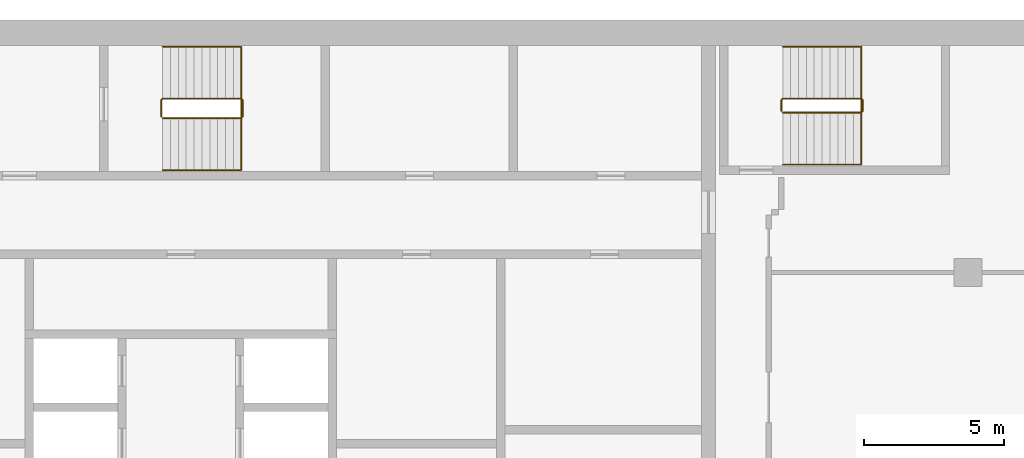
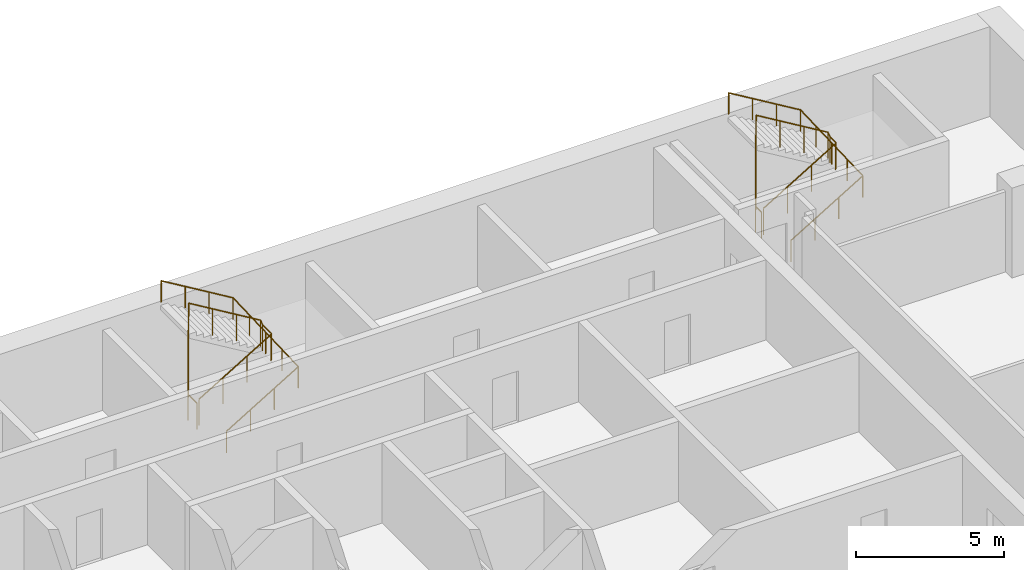
# One storey, part 15 of 15: 4 railings.
"""IFC4 building model written with IfcOpenShell, lengths in metres."""

from ifc_helpers import new_model, si_unit, direction, frame, origin, origin_2d, place, context, subcontext, project, spatial, circle, extrude, material, type_object, element, save


model = new_model("IFC4")

# Units and contexts
model_context = context("Model", 3, precision=1e-05, world=origin(), true_north=direction((0.0, 1.0)))
body_context = subcontext(model_context, "Body", "Model", "MODEL_VIEW")
ifc_project = project(units=[si_unit("LENGTHUNIT", "METRE"), si_unit("AREAUNIT", "SQUARE_METRE"), si_unit("VOLUMEUNIT", "CUBIC_METRE"), si_unit("PLANEANGLEUNIT", "RADIAN"), si_unit("MASSUNIT", "GRAM", prefix="KILO")], contexts=[model_context])

# Site, building, storey
site_placement = place(None, origin())
site = spatial("IfcSite", under=ifc_project, at=site_placement, CompositionType="ELEMENT")
building_placement = place(site_placement, origin())
building = spatial("IfcBuilding", under=site, at=building_placement, Name="Hunhe Ridgeline Campus", CompositionType="ELEMENT")
storey_placement = place(building_placement, frame((0.0, 0.0, 231.800048828125)))
storey = spatial("IfcBuildingStorey", under=building, at=storey_placement, Name="L59", CompositionType="ELEMENT", Elevation=231.800048828125)

# Railings
ifc_material_1 = material(Name="Stainless steel balustrade", Category="steel")
railing_type_1 = type_object("IfcRailingType", Name="Stair guard 1100 stainless", PredefinedType="GUARDRAIL", material=ifc_material_1)
railing_1_placement = place(storey_placement, frame((16.300048828125, 95.5, 0.168212890625)))
element("IfcRailing", 1, at=railing_1_placement, inside=storey, type_object=railing_type_1, Name="L59 stair S1 guard", PredefinedType="GUARDRAIL", context=body_context, shape_type="SweptSolid", body=[
    extrude(circle(Radius=0.02392578125, at=origin_2d()), frame((0.0, 0.0, 1.076171875), z_axis=(0.857275202839, 0.0, 0.514858452973), x_axis=(0.0, 1.0, 0.0)), (0.0, 0.0, 1.0), 3.26611328125),
    extrude(circle(Radius=0.02392578125, at=origin_2d()), frame((2.800048828125, 0.0, 2.7578125), z_axis=(0.705375805398, 0.708833529934, 0.0), x_axis=(-0.708833529934, 0.705375805398, 0.0)), (0.0, 0.0, 1.0), 0.070556640625),
    extrude(circle(Radius=0.02392578125, at=origin_2d()), frame((2.849853515625, 0.050048828125, 2.7578125), z_axis=(0.0, 1.0, 0.0), x_axis=(-1.0, 0.0, 0.0)), (0.0, 0.0, 1.0), 0.599853515625),
    extrude(circle(Radius=0.02392578125, at=origin_2d()), frame((2.849853515625, 0.64990234375, 2.7578125), z_axis=(-0.273006030465, 0.27434429532, 0.922064485248), x_axis=(-0.708833529934, -0.705375805398, 0.0)), (0.0, 0.0, 1.0), 0.182373046875),
    extrude(circle(Radius=0.02392578125, at=origin_2d()), frame((2.800048828125, 0.699951171875, 2.92578125), z_axis=(-0.857242210791, 0.0, 0.514913383045), x_axis=(0.0, -1.0, 0.0)), (0.0, 0.0, 1.0), 3.266357421875),
    extrude(circle(Radius=0.02392578125, at=origin_2d()), frame((0.0, 0.699951171875, 4.60791015625), z_axis=(-0.013524414389, -0.013524414389, -0.999817073484), x_axis=(0.707106781187, -0.707106781187, 0.0)), (0.0, 0.0, 1.0), 3.70068359375),
    extrude(circle(Radius=0.02392578125, at=origin_2d()), frame((-0.050048828125, 0.64990234375, 0.90771484375), z_axis=(0.0, -1.0, 0.0), x_axis=(1.0, 0.0, 0.0)), (0.0, 0.0, 1.0), 0.599853515625),
    extrude(circle(Radius=0.02099609375, at=origin_2d()), origin(), (0.0, 0.0, 1.0), 1.052001953125),
    extrude(circle(Radius=0.02099609375, at=origin_2d()), frame((0.933349609375, 0.0, 0.560546875)), (0.0, 0.0, 1.0), 1.052001953125),
    extrude(circle(Radius=0.02099609375, at=origin_2d()), frame((1.86669921875, 0.0, 1.12109375)), (0.0, 0.0, 1.0), 1.052001953125),
    extrude(circle(Radius=0.02099609375, at=origin_2d()), frame((2.800048828125, 0.0, 1.681640625)), (0.0, 0.0, 1.0), 1.052001953125),
    extrude(circle(Radius=0.02099609375, at=origin_2d()), frame((2.849853515625, 0.050048828125, 1.681640625)), (0.0, 0.0, 1.0), 1.052001953125),
    extrude(circle(Radius=0.02099609375, at=origin_2d()), frame((2.849853515625, 0.64990234375, 1.681640625)), (0.0, 0.0, 1.0), 1.052001953125),
    extrude(circle(Radius=0.02099609375, at=origin_2d()), frame((2.800048828125, 0.699951171875, 1.849853515625)), (0.0, 0.0, 1.0), 1.052001953125),
    extrude(circle(Radius=0.02099609375, at=origin_2d()), frame((1.86669921875, 0.699951171875, 2.410400390625)), (0.0, 0.0, 1.0), 1.052001953125),
    extrude(circle(Radius=0.02099609375, at=origin_2d()), frame((0.933349609375, 0.699951171875, 2.97119140625)), (0.0, 0.0, 1.0), 1.052001953125),
    extrude(circle(Radius=0.02099609375, at=origin_2d()), frame((0.0, 0.699951171875, 3.53173828125)), (0.0, 0.0, 1.0), 1.052001953125),
    extrude(circle(Radius=0.02099609375, at=origin_2d()), frame((-0.012451171875, 0.6875, 2.606689453125)), (0.0, 0.0, 1.0), 1.052001953125),
    extrude(circle(Radius=0.02099609375, at=origin_2d()), frame((-0.02490234375, 0.6748046875, 1.681640625)), (0.0, 0.0, 1.0), 1.052001953125),
    extrude(circle(Radius=0.02099609375, at=origin_2d()), frame((-0.03759765625, 0.662353515625, 0.7568359375)), (0.0, 0.0, 1.0), 1.052001953125),
    extrude(circle(Radius=0.02099609375, at=origin_2d()), frame((-0.050048828125, 0.64990234375, -0.168212890625)), (0.0, 0.0, 1.0), 1.052001953125),
    extrude(circle(Radius=0.02099609375, at=origin_2d()), frame((-0.050048828125, 0.050048828125, -0.168212890625)), (0.0, 0.0, 1.0), 1.052001953125),
])
railing_2_placement = place(storey_placement, frame((38.39990234375, 95.699951171875, 0.168212890625)))
element("IfcRailing", 2, at=railing_2_placement, inside=storey, type_object=railing_type_1, Name="L59 stair E1 guard", PredefinedType="GUARDRAIL", context=body_context, shape_type="SweptSolid", body=[
    extrude(circle(Radius=0.02392578125, at=origin_2d()), frame((0.0, 0.0, 1.076171875), z_axis=(0.857275202839, 0.0, 0.514858452973), x_axis=(0.0, 1.0, 0.0)), (0.0, 0.0, 1.0), 3.26611328125),
    extrude(circle(Radius=0.02392578125, at=origin_2d()), frame((2.800048828125, 0.0, 2.7578125), z_axis=(0.707106781187, 0.707106781187, 0.0), x_axis=(-0.707106781187, 0.707106781187, 0.0)), (0.0, 0.0, 1.0), 0.07080078125),
    extrude(circle(Radius=0.02392578125, at=origin_2d()), frame((2.85009765625, 0.050048828125, 2.7578125), z_axis=(0.0, 1.0, 0.0), x_axis=(-1.0, 0.0, 0.0)), (0.0, 0.0, 1.0), 0.39990234375),
    extrude(circle(Radius=0.02392578125, at=origin_2d()), frame((2.85009765625, 0.449951171875, 2.7578125), z_axis=(-0.274243871929, 0.274243871929, 0.92172696468), x_axis=(-0.707106781187, -0.707106781187, 0.0)), (0.0, 0.0, 1.0), 0.1826171875),
    extrude(circle(Radius=0.02392578125, at=origin_2d()), frame((2.800048828125, 0.5, 2.92578125), z_axis=(-0.857242210791, 0.0, 0.514913383045), x_axis=(0.0, -1.0, 0.0)), (0.0, 0.0, 1.0), 3.266357421875),
    extrude(circle(Radius=0.02392578125, at=origin_2d()), frame((0.0, 0.5, 4.60791015625), z_axis=(-0.013458453615, -0.013524426427, -0.999817963389), x_axis=(0.708833529934, -0.705375805398, 0.0)), (0.0, 0.0, 1.0), 3.70068359375),
    extrude(circle(Radius=0.02392578125, at=origin_2d()), frame((-0.0498046875, 0.449951171875, 0.90771484375), z_axis=(0.0, -1.0, 0.0), x_axis=(1.0, 0.0, 0.0)), (0.0, 0.0, 1.0), 0.39990234375),
    extrude(circle(Radius=0.02099609375, at=origin_2d()), origin(), (0.0, 0.0, 1.0), 1.052001953125),
    extrude(circle(Radius=0.02099609375, at=origin_2d()), frame((0.933349609375, 0.0, 0.560546875)), (0.0, 0.0, 1.0), 1.052001953125),
    extrude(circle(Radius=0.02099609375, at=origin_2d()), frame((1.86669921875, 0.0, 1.12109375)), (0.0, 0.0, 1.0), 1.052001953125),
    extrude(circle(Radius=0.02099609375, at=origin_2d()), frame((2.800048828125, 0.0, 1.681640625)), (0.0, 0.0, 1.0), 1.052001953125),
    extrude(circle(Radius=0.02099609375, at=origin_2d()), frame((2.85009765625, 0.050048828125, 1.681640625)), (0.0, 0.0, 1.0), 1.052001953125),
    extrude(circle(Radius=0.02099609375, at=origin_2d()), frame((2.85009765625, 0.449951171875, 1.681640625)), (0.0, 0.0, 1.0), 1.052001953125),
    extrude(circle(Radius=0.02099609375, at=origin_2d()), frame((2.800048828125, 0.5, 1.849853515625)), (0.0, 0.0, 1.0), 1.052001953125),
    extrude(circle(Radius=0.02099609375, at=origin_2d()), frame((1.86669921875, 0.5, 2.410400390625)), (0.0, 0.0, 1.0), 1.052001953125),
    extrude(circle(Radius=0.02099609375, at=origin_2d()), frame((0.933349609375, 0.5, 2.97119140625)), (0.0, 0.0, 1.0), 1.052001953125),
    extrude(circle(Radius=0.02099609375, at=origin_2d()), frame((0.0, 0.5, 3.53173828125)), (0.0, 0.0, 1.0), 1.052001953125),
    extrude(circle(Radius=0.02099609375, at=origin_2d()), frame((-0.012451171875, 0.487548828125, 2.606689453125)), (0.0, 0.0, 1.0), 1.052001953125),
    extrude(circle(Radius=0.02099609375, at=origin_2d()), frame((-0.02490234375, 0.47509765625, 1.681640625)), (0.0, 0.0, 1.0), 1.052001953125),
    extrude(circle(Radius=0.02099609375, at=origin_2d()), frame((-0.037353515625, 0.46240234375, 0.7568359375)), (0.0, 0.0, 1.0), 1.052001953125),
    extrude(circle(Radius=0.02099609375, at=origin_2d()), frame((-0.0498046875, 0.449951171875, -0.168212890625)), (0.0, 0.0, 1.0), 1.052001953125),
    extrude(circle(Radius=0.02099609375, at=origin_2d()), frame((-0.0498046875, 0.050048828125, -0.168212890625)), (0.0, 0.0, 1.0), 1.052001953125),
])
ifc_material_2 = material(Name="Stainless steel handrail", Category="steel")
railing_type_2 = type_object("IfcRailingType", Name="Stair handrail 900 stainless", PredefinedType="HANDRAIL", material=ifc_material_2)
railing_3_placement = place(storey_placement, frame((16.300048828125, 93.64990234375, 0.168212890625)))
element("IfcRailing", 3, at=railing_3_placement, inside=storey, type_object=railing_type_2, Name="L59 stair S1 handrail", PredefinedType="HANDRAIL", context=body_context, shape_type="SweptSolid", body=[
    extrude(circle(Radius=0.02392578125, at=origin_2d()), frame((0.0, 0.0, 0.8759765625), z_axis=(0.857275202839, 0.0, 0.514858452973), x_axis=(0.0, 1.0, 0.0)), (0.0, 0.0, 1.0), 3.26611328125),
    extrude(circle(Radius=0.02392578125, at=origin_2d()), frame((2.800048828125, 0.0, 2.5576171875), z_axis=(0.0, 0.999270074432, 0.038201025428), x_axis=(-1.0, 0.0, 0.0)), (0.0, 0.0, 1.0), 4.4033203125),
    extrude(circle(Radius=0.02392578125, at=origin_2d()), frame((2.800048828125, 4.400146484375, 2.7255859375), z_axis=(-0.857242210791, 0.0, 0.514913383045), x_axis=(0.0, -1.0, 0.0)), (0.0, 0.0, 1.0), 3.266357421875),
    extrude(circle(Radius=0.02099609375, at=origin_2d()), origin(), (0.0, 0.0, 1.0), 0.851806640625),
    extrude(circle(Radius=0.02099609375, at=origin_2d()), frame((0.933349609375, 0.0, 0.560546875)), (0.0, 0.0, 1.0), 0.851806640625),
    extrude(circle(Radius=0.02099609375, at=origin_2d()), frame((1.86669921875, 0.0, 1.12109375)), (0.0, 0.0, 1.0), 0.851806640625),
    extrude(circle(Radius=0.02099609375, at=origin_2d()), frame((2.800048828125, 0.0, 1.681640625)), (0.0, 0.0, 1.0), 0.851806640625),
    extrude(circle(Radius=0.02099609375, at=origin_2d()), frame((2.800048828125, 1.10009765625, 1.7236328125)), (0.0, 0.0, 1.0), 0.851806640625),
    extrude(circle(Radius=0.02099609375, at=origin_2d()), frame((2.800048828125, 2.2001953125, 1.765625)), (0.0, 0.0, 1.0), 0.851806640625),
    extrude(circle(Radius=0.02099609375, at=origin_2d()), frame((2.800048828125, 3.300048828125, 1.807861328125)), (0.0, 0.0, 1.0), 0.851806640625),
    extrude(circle(Radius=0.02099609375, at=origin_2d()), frame((2.800048828125, 4.400146484375, 1.849853515625)), (0.0, 0.0, 1.0), 0.851806640625),
    extrude(circle(Radius=0.02099609375, at=origin_2d()), frame((1.86669921875, 4.400146484375, 2.410400390625)), (0.0, 0.0, 1.0), 0.851806640625),
    extrude(circle(Radius=0.02099609375, at=origin_2d()), frame((0.933349609375, 4.400146484375, 2.97119140625)), (0.0, 0.0, 1.0), 0.851806640625),
    extrude(circle(Radius=0.02099609375, at=origin_2d()), frame((0.0, 4.400146484375, 3.53173828125)), (0.0, 0.0, 1.0), 0.851806640625),
])
railing_4_placement = place(storey_placement, frame((38.39990234375, 93.85009765625, 0.168212890625)))
element("IfcRailing", 4, at=railing_4_placement, inside=storey, type_object=railing_type_2, Name="L59 stair E1 handrail", PredefinedType="HANDRAIL", context=body_context, shape_type="SweptSolid", body=[
    extrude(circle(Radius=0.02392578125, at=origin_2d()), frame((0.0, 0.0, 0.8759765625), z_axis=(0.857275202839, 0.0, 0.514858452973), x_axis=(0.0, 1.0, 0.0)), (0.0, 0.0, 1.0), 3.26611328125),
    extrude(circle(Radius=0.02392578125, at=origin_2d()), frame((2.800048828125, 0.0, 2.5576171875), z_axis=(0.0, 0.999198916169, 0.040019069537), x_axis=(-1.0, 0.0, 0.0)), (0.0, 0.0, 1.0), 4.203369140625),
    extrude(circle(Radius=0.02392578125, at=origin_2d()), frame((2.800048828125, 4.199951171875, 2.7255859375), z_axis=(-0.857242210791, 0.0, 0.514913383045), x_axis=(0.0, -1.0, 0.0)), (0.0, 0.0, 1.0), 3.266357421875),
    extrude(circle(Radius=0.02099609375, at=origin_2d()), origin(), (0.0, 0.0, 1.0), 0.851806640625),
    extrude(circle(Radius=0.02099609375, at=origin_2d()), frame((0.933349609375, 0.0, 0.560546875)), (0.0, 0.0, 1.0), 0.851806640625),
    extrude(circle(Radius=0.02099609375, at=origin_2d()), frame((1.86669921875, 0.0, 1.12109375)), (0.0, 0.0, 1.0), 0.851806640625),
    extrude(circle(Radius=0.02099609375, at=origin_2d()), frame((2.800048828125, 0.0, 1.681640625)), (0.0, 0.0, 1.0), 0.851806640625),
    extrude(circle(Radius=0.02099609375, at=origin_2d()), frame((2.800048828125, 1.050048828125, 1.7236328125)), (0.0, 0.0, 1.0), 0.851806640625),
    extrude(circle(Radius=0.02099609375, at=origin_2d()), frame((2.800048828125, 2.10009765625, 1.765625)), (0.0, 0.0, 1.0), 0.851806640625),
    extrude(circle(Radius=0.02099609375, at=origin_2d()), frame((2.800048828125, 3.14990234375, 1.807861328125)), (0.0, 0.0, 1.0), 0.851806640625),
    extrude(circle(Radius=0.02099609375, at=origin_2d()), frame((2.800048828125, 4.199951171875, 1.849853515625)), (0.0, 0.0, 1.0), 0.851806640625),
    extrude(circle(Radius=0.02099609375, at=origin_2d()), frame((1.86669921875, 4.199951171875, 2.410400390625)), (0.0, 0.0, 1.0), 0.851806640625),
    extrude(circle(Radius=0.02099609375, at=origin_2d()), frame((0.933349609375, 4.199951171875, 2.97119140625)), (0.0, 0.0, 1.0), 0.851806640625),
    extrude(circle(Radius=0.02099609375, at=origin_2d()), frame((0.0, 4.199951171875, 3.53173828125)), (0.0, 0.0, 1.0), 0.851806640625),
])

save(model, "model.ifc")
